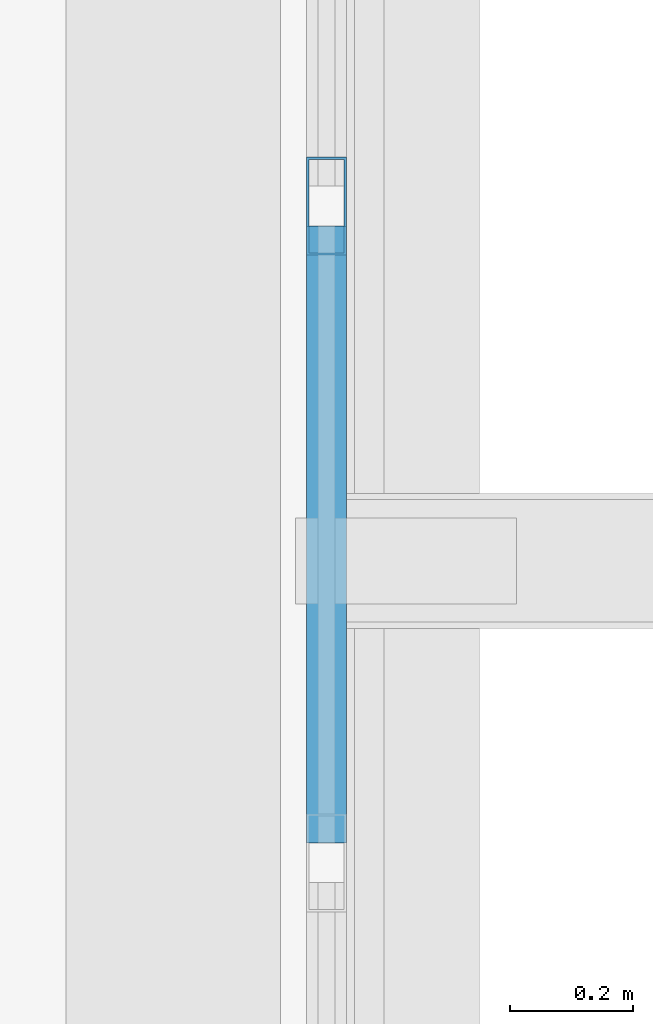
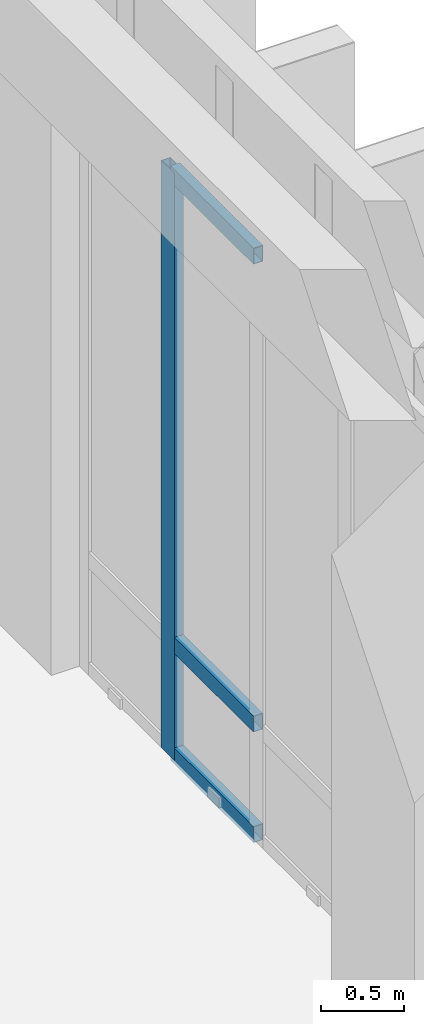
# One storey, part 84 of 134: 4 members, 1 element without a shape of its own.
"""IFC4 building model written with IfcOpenShell, lengths in metres."""

from ifc_helpers import new_model, si_unit, direction, frame, origin, origin_2d, place, context, subcontext, project, spatial, hollow_rectangle, extrude, material, layer, layer_set, material_profile, profile_set, type_object, element, aggregate, save


model = new_model("IFC4")

# Units and contexts
model_context = context("Model", 3, precision=1e-05, world=origin(), true_north=direction((0.0, 1.0)))
body_context = subcontext(model_context, "Body", "Model", "MODEL_VIEW")
ifc_project = project(units=[si_unit("LENGTHUNIT", "METRE"), si_unit("AREAUNIT", "SQUARE_METRE"), si_unit("VOLUMEUNIT", "CUBIC_METRE"), si_unit("PLANEANGLEUNIT", "RADIAN"), si_unit("MASSUNIT", "GRAM", prefix="KILO")], contexts=[model_context])

# Site, building, storey
site_placement = place(None, origin())
site = spatial("IfcSite", under=ifc_project, at=site_placement, CompositionType="ELEMENT")
building_placement = place(site_placement, origin())
building = spatial("IfcBuilding", under=site, at=building_placement, Name="Nakhvara Creek Congress Hotel", CompositionType="ELEMENT")
storey_placement = place(building_placement, frame((0.0, 0.0, 6.0)))
storey = spatial("IfcBuildingStorey", under=building, at=storey_placement, Name="L01", CompositionType="ELEMENT", Elevation=6.0)

# Curtain wall, members
ifc_material_1 = material(Name="Bronze-anodised aluminium AW-6063-T6 and double-silver low-E glass", Category="aluminium")
ifc_layer = layer(ifc_material_1, 0.199951171875)
ifc_layer_set = layer_set([ifc_layer], Name="Bronze-anodised aluminium AW-6063-T6 and double-silver low-E glass")
curtain_wall_type = type_object("IfcCurtainWallType", Name="CW-HTL-UNIT", PredefinedType="USERDEFINED", material=ifc_layer_set)
curtain_wall_placement = place(storey_placement, origin())
curtain_wall = element("IfcCurtainWall", 1, at=curtain_wall_placement, inside=storey, type_object=curtain_wall_type, Name="Curtain Wall CW123", ObjectType="UNITISED", PredefinedType="USERDEFINED")
ifc_material_2 = material(Name="Bronze-anodised aluminium AW-6063-T6", Category="aluminium")
ifc_material_profile_1 = material_profile(ifc_material_2, hollow_rectangle(XDim=0.06494140625, YDim=0.159912109375, WallThickness=0.00390625, at=origin_2d()), Name="ALU-MULL 65x160x4", Category="LoadBearing")
ifc_profile_set_1 = profile_set([ifc_material_profile_1], Name="Bronze-anodised aluminium AW-6063-T6")
member_type_1 = type_object("IfcMemberType", Name="CW-MULL-160", PredefinedType="MULLION", material=ifc_profile_set_1)
member_1_placement = place(storey_placement, frame((179.60009765625, 109.328857421875, 0.0), z_axis=(0.0, 0.0, 1.0), x_axis=(1.0, 0.0, 0.0)))
member_1 = element("IfcMember", 2, at=member_1_placement, type_object=member_type_1, Name="CW123 mullion 2", PredefinedType="MULLION", context=body_context, shape_type="SweptSolid", body=[
    extrude(hollow_rectangle(XDim=0.06494140625, YDim=0.159912109375, WallThickness=0.00390625, at=origin_2d()), origin(), (0.0, 0.0, 1.0), 4.342041015625),
])
ifc_material_profile_2 = material_profile(ifc_material_2, hollow_rectangle(XDim=0.06494140625, YDim=0.1201171875, WallThickness=0.00390625, at=origin_2d()), Name="ALU-TRAN 65x120x4", Category="LoadBearing")
ifc_profile_set_2 = profile_set([ifc_material_profile_2], Name="Bronze-anodised aluminium AW-6063-T6")
member_type_2 = type_object("IfcMemberType", Name="CW-TRAN-120", PredefinedType="USERDEFINED", material=ifc_profile_set_2)
member_2_placement = place(storey_placement, frame((179.60009765625, 109.296142578125, 0.032470703125), z_axis=(0.0, -1.0, 0.0), x_axis=(1.0, 0.0, 0.0)))
member_2 = element("IfcMember", 3, at=member_2_placement, type_object=member_type_2, Name="CW123 transom 2.1", ObjectType="TRANSOM", PredefinedType="USERDEFINED", context=body_context, shape_type="SweptSolid", body=[
    extrude(hollow_rectangle(XDim=0.06494140625, YDim=0.1201171875, WallThickness=0.00390625, at=origin_2d()), origin(), (0.0, 0.0, 1.0), 1.006103515625),
])
member_3_placement = place(storey_placement, frame((179.60009765625, 109.296142578125, 0.85009765625), z_axis=(0.0, -1.0, 0.0), x_axis=(1.0, 0.0, 0.0)))
member_3 = element("IfcMember", 4, at=member_3_placement, type_object=member_type_2, Name="CW123 transom 2.2", ObjectType="TRANSOM", PredefinedType="USERDEFINED", context=body_context, shape_type="SweptSolid", body=[
    extrude(hollow_rectangle(XDim=0.06494140625, YDim=0.1201171875, WallThickness=0.00390625, at=origin_2d()), origin(), (0.0, 0.0, 1.0), 1.006103515625),
])
member_4_placement = place(storey_placement, frame((179.60009765625, 109.296142578125, 4.3095703125), z_axis=(0.0, -1.0, 0.0), x_axis=(1.0, 0.0, 0.0)))
member_4 = element("IfcMember", 5, at=member_4_placement, type_object=member_type_2, Name="CW123 transom 2.3", ObjectType="TRANSOM", PredefinedType="USERDEFINED", context=body_context, shape_type="SweptSolid", body=[
    extrude(hollow_rectangle(XDim=0.06494140625, YDim=0.1201171875, WallThickness=0.00390625, at=origin_2d()), origin(), (0.0, 0.0, 1.0), 1.006103515625),
])
aggregate(curtain_wall, [member_1, member_2, member_3, member_4])

save(model, "model.ifc")
